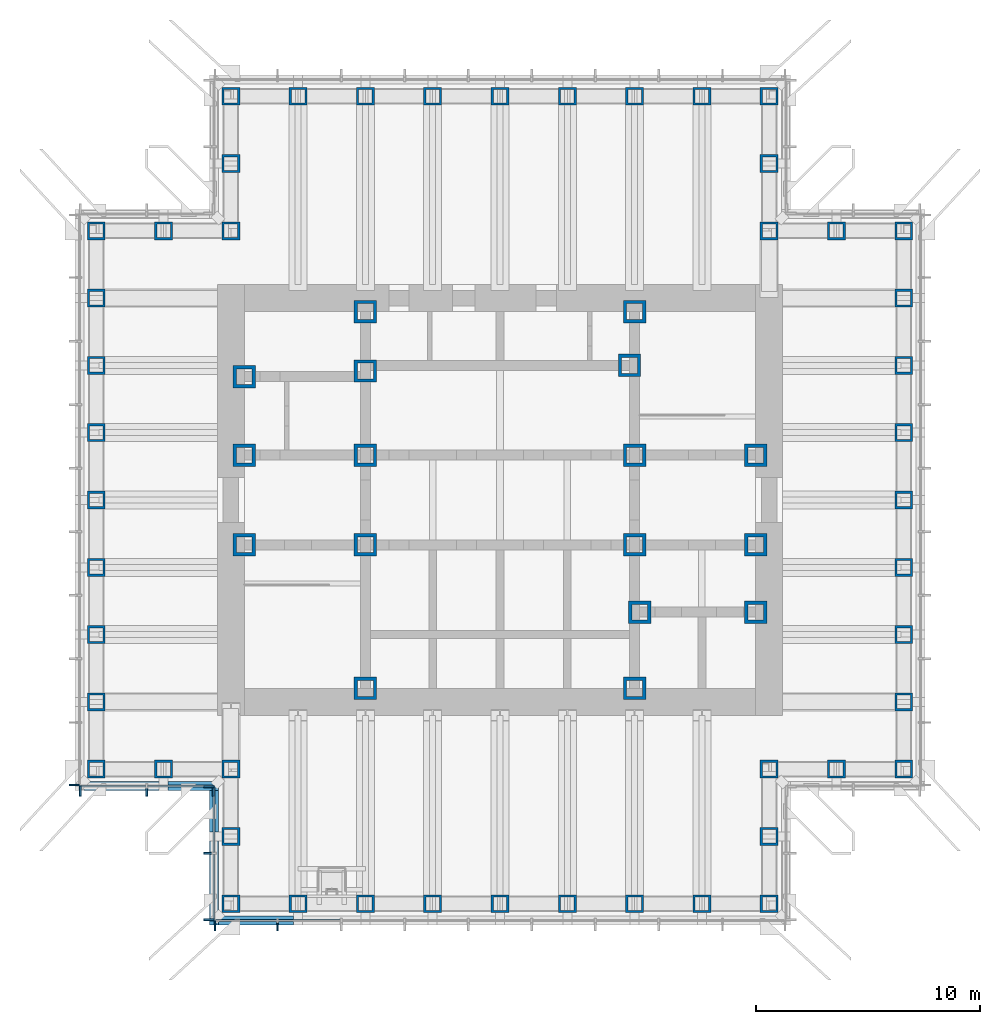
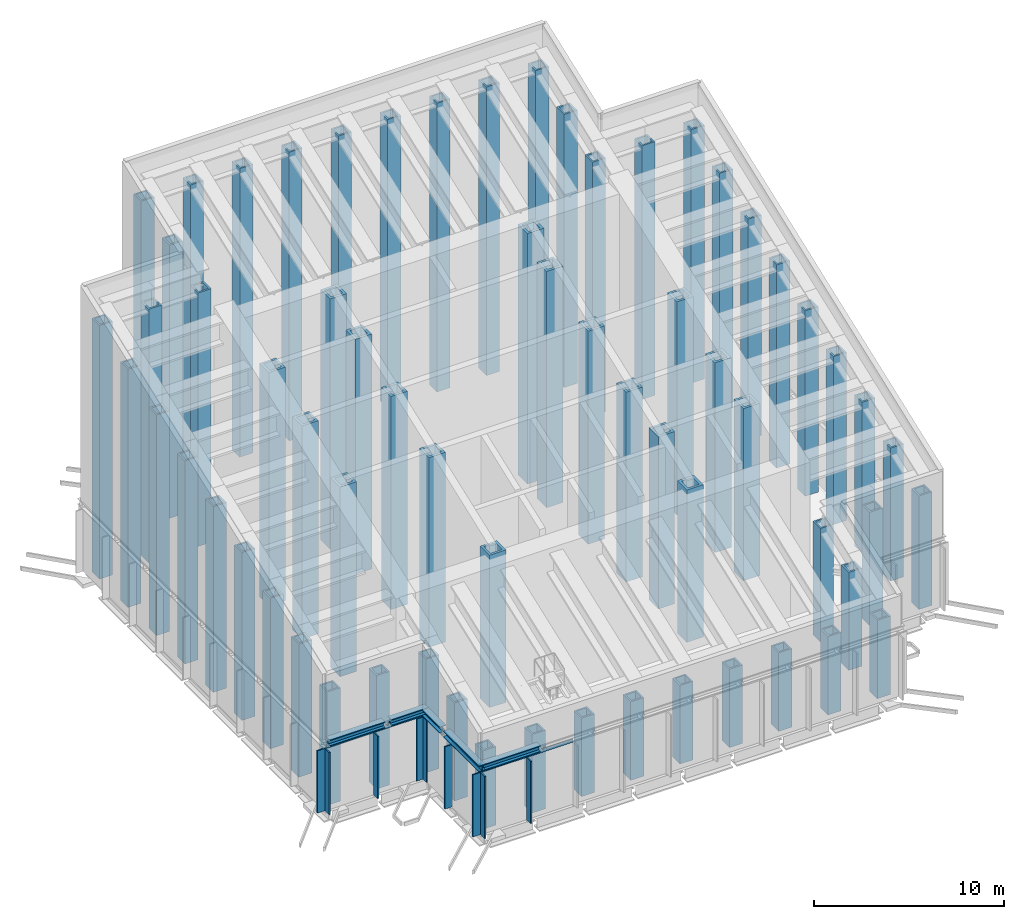
# One storey, part 1 of 15: 65 columns, 15 members, 5 beams, 4 elements without a shape of their own.
"""IFC4 building model written with IfcOpenShell, lengths in metres."""

from ifc_helpers import new_model, si_unit, direction, frame, origin, origin_2d, place, context, subcontext, project, spatial, rectangle, hollow_rectangle, i_section, extrude, material, material_profile, profile_set, type_object, element, aggregate, save


model = new_model("IFC4")

# Units and contexts
model_context = context("Model", 3, precision=1e-05, world=origin(), true_north=direction((0.0, 1.0)))
body_context = subcontext(model_context, "Body", "Model", "MODEL_VIEW")
ifc_project = project(units=[si_unit("LENGTHUNIT", "METRE"), si_unit("AREAUNIT", "SQUARE_METRE"), si_unit("VOLUMEUNIT", "CUBIC_METRE"), si_unit("PLANEANGLEUNIT", "RADIAN"), si_unit("MASSUNIT", "GRAM", prefix="KILO")], contexts=[model_context])

# Site, building, storey
site_placement = place(None, origin())
site = spatial("IfcSite", under=ifc_project, at=site_placement, CompositionType="ELEMENT")
building_placement = place(site_placement, origin())
building = spatial("IfcBuilding", under=site, at=building_placement, Name="Daluyong Arena Tower", CompositionType="ELEMENT")
storey_placement = place(building_placement, frame((0.0, 0.0, 285.699951171875)))
storey = spatial("IfcBuildingStorey", under=building, at=storey_placement, Name="L64", CompositionType="ELEMENT", Elevation=285.699951171875)

# Columns
ifc_material_1 = material(Name="Steel ASTM A588 Grade 50", Category="steel")
ifc_material_profile_1 = material_profile(ifc_material_1, hollow_rectangle(XDim=1.0, YDim=1.0, WallThickness=0.15, at=origin_2d()))
ifc_profile_set_1 = profile_set([ifc_material_profile_1], Name="Steel ASTM A588 Grade 50")
column_type_1 = type_object("IfcColumnType", Name="Core boundary column BX1000X150", PredefinedType="COLUMN", material=ifc_profile_set_1)
column_1_placement = place(storey_placement, frame((44.60009765625, 78.0, 0.0), z_axis=(0.0, 0.0, 1.0), x_axis=(1.0, 0.0, 0.0)))
element("IfcColumn", 1, at=column_1_placement, inside=storey, type_object=column_type_1, Name="core boundary column BC1", PredefinedType="COLUMN", context=body_context, shape_type="SweptSolid", body=[
    extrude(hollow_rectangle(XDim=1.0, YDim=1.0, WallThickness=0.15, at=origin_2d()), origin(), (0.0, 0.0, 1.0), 12.201416015625),
])
column_2_placement = place(storey_placement, frame((44.60009765625, 82.0, 0.0), z_axis=(0.0, 0.0, 1.0), x_axis=(1.0, 0.0, 0.0)))
element("IfcColumn", 2, at=column_2_placement, inside=storey, type_object=column_type_1, Name="core boundary column BC1", PredefinedType="COLUMN", context=body_context, shape_type="SweptSolid", body=[
    extrude(hollow_rectangle(XDim=1.0, YDim=1.0, WallThickness=0.15, at=origin_2d()), origin(), (0.0, 0.0, 1.0), 13.702880859375),
])
column_3_placement = place(storey_placement, frame((44.60009765625, 85.5, 0.0), z_axis=(0.0, 0.0, 1.0), x_axis=(1.0, 0.0, 0.0)))
element("IfcColumn", 3, at=column_3_placement, inside=storey, type_object=column_type_1, Name="core boundary column BC1", PredefinedType="COLUMN", context=body_context, shape_type="SweptSolid", body=[
    extrude(hollow_rectangle(XDim=1.0, YDim=1.0, WallThickness=0.15, at=origin_2d()), origin(), (0.0, 0.0, 1.0), 15.0166015625),
])
column_4_placement = place(storey_placement, frame((50.0, 71.60009765625, 0.0), z_axis=(0.0, 0.0, 1.0), x_axis=(1.0, 0.0, 0.0)))
element("IfcColumn", 4, at=column_4_placement, inside=storey, type_object=column_type_1, Name="core boundary column BC1", PredefinedType="COLUMN", context=body_context, shape_type="SweptSolid", body=[
    extrude(hollow_rectangle(XDim=1.0, YDim=1.0, WallThickness=0.15, at=origin_2d()), origin(), (0.0, 0.0, 1.0), 9.79931640625),
])
column_5_placement = place(storey_placement, frame((50.0, 78.0, 0.0), z_axis=(0.0, 0.0, 1.0), x_axis=(1.0, 0.0, 0.0)))
element("IfcColumn", 5, at=column_5_placement, inside=storey, type_object=column_type_1, Name="core boundary column BC1", PredefinedType="COLUMN", context=body_context, shape_type="SweptSolid", body=[
    extrude(hollow_rectangle(XDim=1.0, YDim=1.0, WallThickness=0.15, at=origin_2d()), origin(), (0.0, 0.0, 1.0), 12.201416015625),
])
column_6_placement = place(storey_placement, frame((50.0, 82.0, 0.0), z_axis=(0.0, 0.0, 1.0), x_axis=(1.0, 0.0, 0.0)))
element("IfcColumn", 6, at=column_6_placement, inside=storey, type_object=column_type_1, Name="core boundary column BC1", PredefinedType="COLUMN", context=body_context, shape_type="SweptSolid", body=[
    extrude(hollow_rectangle(XDim=1.0, YDim=1.0, WallThickness=0.15, at=origin_2d()), origin(), (0.0, 0.0, 1.0), 13.702880859375),
])
column_7_placement = place(storey_placement, frame((50.0, 85.75, 0.0), z_axis=(0.0, 0.0, 1.0), x_axis=(1.0, 0.0, 0.0)))
element("IfcColumn", 7, at=column_7_placement, inside=storey, type_object=column_type_1, Name="core boundary column BC1", PredefinedType="COLUMN", context=body_context, shape_type="SweptSolid", body=[
    extrude(hollow_rectangle(XDim=1.0, YDim=1.0, WallThickness=0.15, at=origin_2d()), origin(), (0.0, 0.0, 1.0), 15.1103515625),
])
column_8_placement = place(storey_placement, frame((50.0, 88.39990234375, 0.0), z_axis=(0.0, 0.0, 1.0), x_axis=(1.0, 0.0, 0.0)))
element("IfcColumn", 8, at=column_8_placement, inside=storey, type_object=column_type_1, Name="core boundary column BC1", PredefinedType="COLUMN", context=body_context, shape_type="SweptSolid", body=[
    extrude(hollow_rectangle(XDim=1.0, YDim=1.0, WallThickness=0.15, at=origin_2d()), origin(), (0.0, 0.0, 1.0), 16.10498046875),
])
column_9_placement = place(storey_placement, frame((61.77490234375, 86.0, 0.0), z_axis=(0.0, 0.0, 1.0), x_axis=(1.0, 0.0, 0.0)))
element("IfcColumn", 9, at=column_9_placement, inside=storey, type_object=column_type_1, Name="core boundary column BC1", PredefinedType="COLUMN", context=body_context, shape_type="SweptSolid", body=[
    extrude(hollow_rectangle(XDim=1.0, YDim=1.0, WallThickness=0.15, at=origin_2d()), origin(), (0.0, 0.0, 1.0), 15.2041015625),
])
column_10_placement = place(storey_placement, frame((62.0, 71.60009765625, 0.0), z_axis=(0.0, 0.0, 1.0), x_axis=(1.0, 0.0, 0.0)))
element("IfcColumn", 10, at=column_10_placement, inside=storey, type_object=column_type_1, Name="core boundary column BC1", PredefinedType="COLUMN", context=body_context, shape_type="SweptSolid", body=[
    extrude(hollow_rectangle(XDim=1.0, YDim=1.0, WallThickness=0.15, at=origin_2d()), origin(), (0.0, 0.0, 1.0), 9.79931640625),
])
column_11_placement = place(storey_placement, frame((62.0, 78.0, 0.0), z_axis=(0.0, 0.0, 1.0), x_axis=(1.0, 0.0, 0.0)))
element("IfcColumn", 11, at=column_11_placement, inside=storey, type_object=column_type_1, Name="core boundary column BC1", PredefinedType="COLUMN", context=body_context, shape_type="SweptSolid", body=[
    extrude(hollow_rectangle(XDim=1.0, YDim=1.0, WallThickness=0.15, at=origin_2d()), origin(), (0.0, 0.0, 1.0), 12.201416015625),
])
column_12_placement = place(storey_placement, frame((62.0, 82.0, 0.0), z_axis=(0.0, 0.0, 1.0), x_axis=(1.0, 0.0, 0.0)))
element("IfcColumn", 12, at=column_12_placement, inside=storey, type_object=column_type_1, Name="core boundary column BC1", PredefinedType="COLUMN", context=body_context, shape_type="SweptSolid", body=[
    extrude(hollow_rectangle(XDim=1.0, YDim=1.0, WallThickness=0.15, at=origin_2d()), origin(), (0.0, 0.0, 1.0), 13.702880859375),
])
column_13_placement = place(storey_placement, frame((62.0, 88.39990234375, 0.0), z_axis=(0.0, 0.0, 1.0), x_axis=(1.0, 0.0, 0.0)))
element("IfcColumn", 13, at=column_13_placement, inside=storey, type_object=column_type_1, Name="core boundary column BC1", PredefinedType="COLUMN", context=body_context, shape_type="SweptSolid", body=[
    extrude(hollow_rectangle(XDim=1.0, YDim=1.0, WallThickness=0.15, at=origin_2d()), origin(), (0.0, 0.0, 1.0), 16.10498046875),
])
for number, where, z_axis, x_axis, name in (
    (14, (62.22509765625, 75.0, 0.0), (0.0, 0.0, 1.0), (1.0, 0.0, 0.0), "core boundary column BC1"),
    (15, (67.39990234375, 75.0, 0.0), (0.0, 0.0, 1.0), (1.0, 0.0, 0.0), "core boundary column BC1"),
):
    element("IfcColumn", number, at=place(storey_placement, frame(where, z_axis=z_axis, x_axis=x_axis)), inside=storey, type_object=column_type_1, Name=name, PredefinedType="COLUMN", context=body_context, shape_type="SweptSolid", body=[
        extrude(hollow_rectangle(XDim=1.0, YDim=1.0, WallThickness=0.15, at=origin_2d()), origin(), (0.0, 0.0, 1.0), 11.075439453125),
    ])
column_14_placement = place(storey_placement, frame((67.39990234375, 78.0, 0.0), z_axis=(0.0, 0.0, 1.0), x_axis=(1.0, 0.0, 0.0)))
element("IfcColumn", 16, at=column_14_placement, inside=storey, type_object=column_type_1, Name="core boundary column BC1", PredefinedType="COLUMN", context=body_context, shape_type="SweptSolid", body=[
    extrude(hollow_rectangle(XDim=1.0, YDim=1.0, WallThickness=0.15, at=origin_2d()), origin(), (0.0, 0.0, 1.0), 12.201416015625),
])
column_15_placement = place(storey_placement, frame((67.39990234375, 82.0, 0.0), z_axis=(0.0, 0.0, 1.0), x_axis=(1.0, 0.0, 0.0)))
element("IfcColumn", 17, at=column_15_placement, inside=storey, type_object=column_type_1, Name="core boundary column BC1", PredefinedType="COLUMN", context=body_context, shape_type="SweptSolid", body=[
    extrude(hollow_rectangle(XDim=1.0, YDim=1.0, WallThickness=0.15, at=origin_2d()), origin(), (0.0, 0.0, 1.0), 13.702880859375),
])
ifc_material_2 = material(Name="Steel ASTM A572 Grade 50", Category="steel")
ifc_material_profile_2 = material_profile(ifc_material_2, hollow_rectangle(XDim=0.800048828125, YDim=0.800048828125, WallThickness=0.1, at=origin_2d()))
ifc_profile_set_2 = profile_set([ifc_material_profile_2], Name="Steel ASTM A572 Grade 50")
column_type_2 = type_object("IfcColumnType", Name="Tube column BX800X100 BX800X100", PredefinedType="COLUMN", material=ifc_profile_set_2)
for number, where, z_axis, x_axis, name in (
    (18, (44.0, 62.0, 0.0), (0.0, 0.0, 1.0), (1.0, 0.0, 0.0), "tube column bx800x100 TC8"),
    (19, (47.0, 62.0, 0.0), (0.0, 0.0, 1.0), (1.0, 0.0, 0.0), "tube column bx800x100 TC8"),
    (20, (50.0, 62.0, 0.0), (0.0, 0.0, 1.0), (1.0, 0.0, 0.0), "tube column bx800x100 TC8"),
    (21, (53.0, 62.0, 0.0), (0.0, 0.0, 1.0), (1.0, 0.0, 0.0), "tube column bx800x100 TC8"),
    (22, (56.0, 62.0, 0.0), (0.0, 0.0, 1.0), (1.0, 0.0, 0.0), "tube column bx800x100 TC8"),
    (23, (59.0, 62.0, 0.0), (0.0, 0.0, 1.0), (1.0, 0.0, 0.0), "tube column bx800x100 TC8"),
    (24, (62.0, 62.0, 0.0), (0.0, 0.0, 1.0), (1.0, 0.0, 0.0), "tube column bx800x100 TC8"),
    (25, (65.0, 62.0, 0.0), (0.0, 0.0, 1.0), (1.0, 0.0, 0.0), "tube column bx800x100 TC8"),
    (26, (68.0, 62.0, 0.0), (0.0, 0.0, 1.0), (0.0, 1.0, 0.0), "tube column bx800x100 TC8"),
):
    element("IfcColumn", number, at=place(storey_placement, frame(where, z_axis=z_axis, x_axis=x_axis)), inside=storey, type_object=column_type_2, Name=name, PredefinedType="COLUMN", context=body_context, shape_type="SweptSolid", body=[
        extrude(hollow_rectangle(XDim=0.800048828125, YDim=0.800048828125, WallThickness=0.1, at=origin_2d()), origin(), (0.0, 0.0, 1.0), 5.052490234375),
    ])
column_16_placement = place(storey_placement, frame((68.0, 65.0, 0.0), z_axis=(0.0, 0.0, 1.0), x_axis=(0.0, 1.0, 0.0)))
element("IfcColumn", 27, at=column_16_placement, inside=storey, type_object=column_type_2, Name="tube column bx800x100 TC8", PredefinedType="COLUMN", context=body_context, shape_type="SweptSolid", body=[
    extrude(hollow_rectangle(XDim=0.800048828125, YDim=0.800048828125, WallThickness=0.1, at=origin_2d()), origin(), (0.0, 0.0, 1.0), 6.309814453125),
])
for number, where, z_axis, x_axis, name in (
    (28, (68.0, 68.0, 0.0), (0.0, 0.0, 1.0), (1.0, 0.0, 0.0), "tube column bx800x100 TC8"),
    (29, (71.0, 68.0, 0.0), (0.0, 0.0, 1.0), (1.0, 0.0, 0.0), "tube column bx800x100 TC8"),
    (30, (74.0, 68.0, 0.0), (0.0, 0.0, 1.0), (0.0, 1.0, 0.0), "tube column bx800x100 TC8"),
):
    element("IfcColumn", number, at=place(storey_placement, frame(where, z_axis=z_axis, x_axis=x_axis)), inside=storey, type_object=column_type_2, Name=name, PredefinedType="COLUMN", context=body_context, shape_type="SweptSolid", body=[
        extrude(hollow_rectangle(XDim=0.800048828125, YDim=0.800048828125, WallThickness=0.1, at=origin_2d()), origin(), (0.0, 0.0, 1.0), 7.304443359375),
    ])
column_17_placement = place(storey_placement, frame((74.0, 71.0, 0.0), z_axis=(0.0, 0.0, 1.0), x_axis=(0.0, 1.0, 0.0)))
element("IfcColumn", 31, at=column_17_placement, inside=storey, type_object=column_type_2, Name="tube column bx800x100 TC8", PredefinedType="COLUMN", context=body_context, shape_type="SweptSolid", body=[
    extrude(hollow_rectangle(XDim=0.800048828125, YDim=0.800048828125, WallThickness=0.1, at=origin_2d()), origin(), (0.0, 0.0, 1.0), 8.561767578125),
])
column_18_placement = place(storey_placement, frame((74.0, 74.0, 0.0), z_axis=(0.0, 0.0, 1.0), x_axis=(0.0, 1.0, 0.0)))
element("IfcColumn", 32, at=column_18_placement, inside=storey, type_object=column_type_2, Name="tube column bx800x100 TC8", PredefinedType="COLUMN", context=body_context, shape_type="SweptSolid", body=[
    extrude(hollow_rectangle(XDim=0.800048828125, YDim=0.800048828125, WallThickness=0.1, at=origin_2d()), origin(), (0.0, 0.0, 1.0), 9.687744140625),
])
column_19_placement = place(storey_placement, frame((74.0, 77.0, 0.0), z_axis=(0.0, 0.0, 1.0), x_axis=(0.0, 1.0, 0.0)))
element("IfcColumn", 33, at=column_19_placement, inside=storey, type_object=column_type_2, Name="tube column bx800x100 TC8", PredefinedType="COLUMN", context=body_context, shape_type="SweptSolid", body=[
    extrude(hollow_rectangle(XDim=0.800048828125, YDim=0.800048828125, WallThickness=0.1, at=origin_2d()), origin(), (0.0, 0.0, 1.0), 10.813720703125),
])
column_20_placement = place(storey_placement, frame((74.0, 80.0, 0.0), z_axis=(0.0, 0.0, 1.0), x_axis=(0.0, 1.0, 0.0)))
element("IfcColumn", 34, at=column_20_placement, inside=storey, type_object=column_type_2, Name="tube column bx800x100 TC8", PredefinedType="COLUMN", context=body_context, shape_type="SweptSolid", body=[
    extrude(hollow_rectangle(XDim=0.800048828125, YDim=0.800048828125, WallThickness=0.1, at=origin_2d()), origin(), (0.0, 0.0, 1.0), 11.93994140625),
])
column_21_placement = place(storey_placement, frame((74.0, 83.0, 0.0), z_axis=(0.0, 0.0, 1.0), x_axis=(0.0, 1.0, 0.0)))
element("IfcColumn", 35, at=column_21_placement, inside=storey, type_object=column_type_2, Name="tube column bx800x100 TC8", PredefinedType="COLUMN", context=body_context, shape_type="SweptSolid", body=[
    extrude(hollow_rectangle(XDim=0.800048828125, YDim=0.800048828125, WallThickness=0.1, at=origin_2d()), origin(), (0.0, 0.0, 1.0), 13.06591796875),
])
column_22_placement = place(storey_placement, frame((74.0, 86.0, 0.0), z_axis=(0.0, 0.0, 1.0), x_axis=(0.0, 1.0, 0.0)))
element("IfcColumn", 36, at=column_22_placement, inside=storey, type_object=column_type_2, Name="tube column bx800x100 TC8", PredefinedType="COLUMN", context=body_context, shape_type="SweptSolid", body=[
    extrude(hollow_rectangle(XDim=0.800048828125, YDim=0.800048828125, WallThickness=0.1, at=origin_2d()), origin(), (0.0, 0.0, 1.0), 14.19189453125),
])
column_23_placement = place(storey_placement, frame((74.0, 89.0, 0.0), z_axis=(0.0, 0.0, 1.0), x_axis=(0.0, 1.0, 0.0)))
element("IfcColumn", 37, at=column_23_placement, inside=storey, type_object=column_type_2, Name="tube column bx800x100 TC8", PredefinedType="COLUMN", context=body_context, shape_type="SweptSolid", body=[
    extrude(hollow_rectangle(XDim=0.800048828125, YDim=0.800048828125, WallThickness=0.1, at=origin_2d()), origin(), (0.0, 0.0, 1.0), 15.31787109375),
])
for number, where, z_axis, x_axis, name in (
    (38, (74.0, 92.0, 0.0), (0.0, 0.0, 1.0), (1.0, 0.0, 0.0), "tube column bx800x100 TC8"),
    (39, (71.0, 92.0, 0.0), (0.0, 0.0, 1.0), (1.0, 0.0, 0.0), "tube column bx800x100 TC8"),
    (40, (68.0, 92.0, 0.0), (0.0, 0.0, 1.0), (0.0, 1.0, 0.0), "tube column bx800x100 TC8"),
):
    element("IfcColumn", number, at=place(storey_placement, frame(where, z_axis=z_axis, x_axis=x_axis)), inside=storey, type_object=column_type_2, Name=name, PredefinedType="COLUMN", context=body_context, shape_type="SweptSolid", body=[
        extrude(hollow_rectangle(XDim=0.800048828125, YDim=0.800048828125, WallThickness=0.1, at=origin_2d()), origin(), (0.0, 0.0, 1.0), 16.3125),
    ])
column_24_placement = place(storey_placement, frame((68.0, 95.0, 0.0), z_axis=(0.0, 0.0, 1.0), x_axis=(0.0, 1.0, 0.0)))
element("IfcColumn", 41, at=column_24_placement, inside=storey, type_object=column_type_2, Name="tube column bx800x100 TC8", PredefinedType="COLUMN", context=body_context, shape_type="SweptSolid", body=[
    extrude(hollow_rectangle(XDim=0.800048828125, YDim=0.800048828125, WallThickness=0.1, at=origin_2d()), origin(), (0.0, 0.0, 1.0), 17.56982421875),
])
for number, where, z_axis, x_axis, name in (
    (42, (68.0, 98.0, 0.0), (0.0, 0.0, 1.0), (1.0, 0.0, 0.0), "tube column bx800x100 TC8"),
    (43, (65.0, 98.0, 0.0), (0.0, 0.0, 1.0), (1.0, 0.0, 0.0), "tube column bx800x100 TC8"),
    (44, (62.0, 98.0, 0.0), (0.0, 0.0, 1.0), (1.0, 0.0, 0.0), "tube column bx800x100 TC8"),
    (45, (59.0, 98.0, 0.0), (0.0, 0.0, 1.0), (1.0, 0.0, 0.0), "tube column bx800x100 TC8"),
    (46, (56.0, 98.0, 0.0), (0.0, 0.0, 1.0), (1.0, 0.0, 0.0), "tube column bx800x100 TC8"),
    (47, (53.0, 98.0, 0.0), (0.0, 0.0, 1.0), (1.0, 0.0, 0.0), "tube column bx800x100 TC8"),
    (48, (50.0, 98.0, 0.0), (0.0, 0.0, 1.0), (1.0, 0.0, 0.0), "tube column bx800x100 TC8"),
    (49, (47.0, 98.0, 0.0), (0.0, 0.0, 1.0), (1.0, 0.0, 0.0), "tube column bx800x100 TC8"),
    (50, (44.0, 98.0, 0.0), (0.0, 0.0, 1.0), (0.0, 1.0, 0.0), "tube column bx800x100 TC8"),
):
    element("IfcColumn", number, at=place(storey_placement, frame(where, z_axis=z_axis, x_axis=x_axis)), inside=storey, type_object=column_type_2, Name=name, PredefinedType="COLUMN", context=body_context, shape_type="SweptSolid", body=[
        extrude(hollow_rectangle(XDim=0.800048828125, YDim=0.800048828125, WallThickness=0.1, at=origin_2d()), origin(), (0.0, 0.0, 1.0), 18.564453125),
    ])
column_25_placement = place(storey_placement, frame((44.0, 95.0, 0.0), z_axis=(0.0, 0.0, 1.0), x_axis=(0.0, 1.0, 0.0)))
element("IfcColumn", 51, at=column_25_placement, inside=storey, type_object=column_type_2, Name="tube column bx800x100 TC8", PredefinedType="COLUMN", context=body_context, shape_type="SweptSolid", body=[
    extrude(hollow_rectangle(XDim=0.800048828125, YDim=0.800048828125, WallThickness=0.1, at=origin_2d()), origin(), (0.0, 0.0, 1.0), 17.56982421875),
])
for number, where, z_axis, x_axis, name in (
    (52, (44.0, 92.0, 0.0), (0.0, 0.0, 1.0), (1.0, 0.0, 0.0), "tube column bx800x100 TC8"),
    (53, (41.0, 92.0, 0.0), (0.0, 0.0, 1.0), (1.0, 0.0, 0.0), "tube column bx800x100 TC8"),
    (54, (38.0, 92.0, 0.0), (0.0, 0.0, 1.0), (0.0, 1.0, 0.0), "tube column bx800x100 TC8"),
):
    element("IfcColumn", number, at=place(storey_placement, frame(where, z_axis=z_axis, x_axis=x_axis)), inside=storey, type_object=column_type_2, Name=name, PredefinedType="COLUMN", context=body_context, shape_type="SweptSolid", body=[
        extrude(hollow_rectangle(XDim=0.800048828125, YDim=0.800048828125, WallThickness=0.1, at=origin_2d()), origin(), (0.0, 0.0, 1.0), 16.3125),
    ])
column_26_placement = place(storey_placement, frame((38.0, 89.0, 0.0), z_axis=(0.0, 0.0, 1.0), x_axis=(0.0, 1.0, 0.0)))
element("IfcColumn", 55, at=column_26_placement, inside=storey, type_object=column_type_2, Name="tube column bx800x100 TC8", PredefinedType="COLUMN", context=body_context, shape_type="SweptSolid", body=[
    extrude(hollow_rectangle(XDim=0.800048828125, YDim=0.800048828125, WallThickness=0.1, at=origin_2d()), origin(), (0.0, 0.0, 1.0), 15.31787109375),
])
column_27_placement = place(storey_placement, frame((38.0, 86.0, 0.0), z_axis=(0.0, 0.0, 1.0), x_axis=(0.0, 1.0, 0.0)))
element("IfcColumn", 56, at=column_27_placement, inside=storey, type_object=column_type_2, Name="tube column bx800x100 TC8", PredefinedType="COLUMN", context=body_context, shape_type="SweptSolid", body=[
    extrude(hollow_rectangle(XDim=0.800048828125, YDim=0.800048828125, WallThickness=0.1, at=origin_2d()), origin(), (0.0, 0.0, 1.0), 14.19189453125),
])
column_28_placement = place(storey_placement, frame((38.0, 83.0, 0.0), z_axis=(0.0, 0.0, 1.0), x_axis=(0.0, 1.0, 0.0)))
element("IfcColumn", 57, at=column_28_placement, inside=storey, type_object=column_type_2, Name="tube column bx800x100 TC8", PredefinedType="COLUMN", context=body_context, shape_type="SweptSolid", body=[
    extrude(hollow_rectangle(XDim=0.800048828125, YDim=0.800048828125, WallThickness=0.1, at=origin_2d()), origin(), (0.0, 0.0, 1.0), 13.06591796875),
])
column_29_placement = place(storey_placement, frame((38.0, 80.0, 0.0), z_axis=(0.0, 0.0, 1.0), x_axis=(0.0, 1.0, 0.0)))
element("IfcColumn", 58, at=column_29_placement, inside=storey, type_object=column_type_2, Name="tube column bx800x100 TC8", PredefinedType="COLUMN", context=body_context, shape_type="SweptSolid", body=[
    extrude(hollow_rectangle(XDim=0.800048828125, YDim=0.800048828125, WallThickness=0.1, at=origin_2d()), origin(), (0.0, 0.0, 1.0), 11.93994140625),
])
column_30_placement = place(storey_placement, frame((38.0, 77.0, 0.0), z_axis=(0.0, 0.0, 1.0), x_axis=(0.0, 1.0, 0.0)))
element("IfcColumn", 59, at=column_30_placement, inside=storey, type_object=column_type_2, Name="tube column bx800x100 TC8", PredefinedType="COLUMN", context=body_context, shape_type="SweptSolid", body=[
    extrude(hollow_rectangle(XDim=0.800048828125, YDim=0.800048828125, WallThickness=0.1, at=origin_2d()), origin(), (0.0, 0.0, 1.0), 10.813720703125),
])
column_31_placement = place(storey_placement, frame((38.0, 74.0, 0.0), z_axis=(0.0, 0.0, 1.0), x_axis=(0.0, 1.0, 0.0)))
element("IfcColumn", 60, at=column_31_placement, inside=storey, type_object=column_type_2, Name="tube column bx800x100 TC8", PredefinedType="COLUMN", context=body_context, shape_type="SweptSolid", body=[
    extrude(hollow_rectangle(XDim=0.800048828125, YDim=0.800048828125, WallThickness=0.1, at=origin_2d()), origin(), (0.0, 0.0, 1.0), 9.687744140625),
])
column_32_placement = place(storey_placement, frame((38.0, 71.0, 0.0), z_axis=(0.0, 0.0, 1.0), x_axis=(0.0, 1.0, 0.0)))
element("IfcColumn", 61, at=column_32_placement, inside=storey, type_object=column_type_2, Name="tube column bx800x100 TC8", PredefinedType="COLUMN", context=body_context, shape_type="SweptSolid", body=[
    extrude(hollow_rectangle(XDim=0.800048828125, YDim=0.800048828125, WallThickness=0.1, at=origin_2d()), origin(), (0.0, 0.0, 1.0), 8.561767578125),
])
for number, where, z_axis, x_axis, name in (
    (62, (38.0, 68.0, 0.0), (0.0, 0.0, 1.0), (1.0, 0.0, 0.0), "tube column bx800x100 TC8"),
    (63, (41.0, 68.0, 0.0), (0.0, 0.0, 1.0), (1.0, 0.0, 0.0), "tube column bx800x100 TC8"),
    (64, (44.0, 68.0, 0.0), (0.0, 0.0, 1.0), (0.0, 1.0, 0.0), "tube column bx800x100 TC8"),
):
    element("IfcColumn", number, at=place(storey_placement, frame(where, z_axis=z_axis, x_axis=x_axis)), inside=storey, type_object=column_type_2, Name=name, PredefinedType="COLUMN", context=body_context, shape_type="SweptSolid", body=[
        extrude(hollow_rectangle(XDim=0.800048828125, YDim=0.800048828125, WallThickness=0.1, at=origin_2d()), origin(), (0.0, 0.0, 1.0), 7.304443359375),
    ])
column_33_placement = place(storey_placement, frame((44.0, 65.0, 0.0), z_axis=(0.0, 0.0, 1.0), x_axis=(0.0, 1.0, 0.0)))
element("IfcColumn", 65, at=column_33_placement, inside=storey, type_object=column_type_2, Name="tube column bx800x100 TC8", PredefinedType="COLUMN", context=body_context, shape_type="SweptSolid", body=[
    extrude(hollow_rectangle(XDim=0.800048828125, YDim=0.800048828125, WallThickness=0.1, at=origin_2d()), origin(), (0.0, 0.0, 1.0), 6.309814453125),
])

# Curtain wall, members
ifc_material_3 = material(Name="Bronze anodised aluminium and glass", Category="aluminium")
curtain_wall_type = type_object("IfcCurtainWallType", Name="Curtain wall CW6", PredefinedType="USERDEFINED", material=ifc_material_3)
curtain_wall_1_placement = place(storey_placement, origin())
curtain_wall_1 = element("IfcCurtainWall", 66, at=curtain_wall_1_placement, inside=storey, type_object=curtain_wall_type, Name="crown louvre curtain wall L64 S", ObjectType="UNITISED CURTAIN WALL", PredefinedType="USERDEFINED")
ifc_material_4 = material(Name="Bronze anodised aluminium fin", Category="aluminium")
ifc_material_profile_3 = material_profile(ifc_material_4, rectangle(XDim=0.449951171875, YDim=0.080078125, at=origin_2d()))
ifc_profile_set_3 = profile_set([ifc_material_profile_3], Name="Bronze anodised aluminium fin")
member_type_1 = type_object("IfcMemberType", Name="CW6 bronze fin 450x80", PredefinedType="MULLION", material=ifc_profile_set_3)
member_1_placement = place(storey_placement, frame((43.2900390625, 61.02490234375, 0.0), z_axis=(0.0, 0.0, 1.0), x_axis=(0.0, 1.0, 0.0)))
member_1 = element("IfcMember", 67, at=member_1_placement, type_object=member_type_1, Name="crown louvre curtain wall L64 S fin 1", PredefinedType="MULLION", context=body_context, shape_type="SweptSolid", body=[
    extrude(rectangle(XDim=0.449951171875, YDim=0.080078125, at=origin_2d()), origin(), (0.0, 0.0, 1.0), 4.0),
])
member_2_placement = place(storey_placement, frame((46.083251953125, 61.02490234375, 0.0), z_axis=(0.0, 0.0, 1.0), x_axis=(0.0, 1.0, 0.0)))
member_2 = element("IfcMember", 68, at=member_2_placement, type_object=member_type_1, Name="crown louvre curtain wall L64 S fin 2", PredefinedType="MULLION", context=body_context, shape_type="SweptSolid", body=[
    extrude(rectangle(XDim=0.449951171875, YDim=0.080078125, at=origin_2d()), origin(), (0.0, 0.0, 1.0), 4.0),
])

# Curtain wall, member
curtain_wall_2_placement = place(storey_placement, origin())
curtain_wall_2 = element("IfcCurtainWall", 69, at=curtain_wall_2_placement, inside=storey, type_object=curtain_wall_type, Name="crown louvre curtain wall L64 W", ObjectType="UNITISED CURTAIN WALL", PredefinedType="USERDEFINED")
member_3_placement = place(storey_placement, frame((37.02490234375, 67.2900390625, 0.0), z_axis=(0.0, 0.0, 1.0), x_axis=(1.0, 0.0, 0.0)))
member_3 = element("IfcMember", 70, at=member_3_placement, type_object=member_type_1, Name="crown louvre curtain wall L64 W fin 10", PredefinedType="MULLION", context=body_context, shape_type="SweptSolid", body=[
    extrude(rectangle(XDim=0.449951171875, YDim=0.080078125, at=origin_2d()), origin(), (0.0, 0.0, 1.0), 4.0),
])
aggregate(curtain_wall_2, [member_3])

# Curtain wall, members
curtain_wall_3_placement = place(storey_placement, origin())
curtain_wall_3 = element("IfcCurtainWall", 71, at=curtain_wall_3_placement, inside=storey, type_object=curtain_wall_type, Name="crown louvre curtain wall L64 SW-S", ObjectType="UNITISED CURTAIN WALL", PredefinedType="USERDEFINED")
member_4_placement = place(storey_placement, frame((37.2900390625, 67.02490234375, 0.0), z_axis=(0.0, 0.0, 1.0), x_axis=(0.0, 1.0, 0.0)))
member_4 = element("IfcMember", 72, at=member_4_placement, type_object=member_type_1, Name="crown louvre curtain wall L64 SW-S fin 1", PredefinedType="MULLION", context=body_context, shape_type="SweptSolid", body=[
    extrude(rectangle(XDim=0.449951171875, YDim=0.080078125, at=origin_2d()), origin(), (0.0, 0.0, 1.0), 4.0),
])
member_5_placement = place(storey_placement, frame((40.25, 67.02490234375, 0.0), z_axis=(0.0, 0.0, 1.0), x_axis=(0.0, 1.0, 0.0)))
member_5 = element("IfcMember", 73, at=member_5_placement, type_object=member_type_1, Name="crown louvre curtain wall L64 SW-S fin 2", PredefinedType="MULLION", context=body_context, shape_type="SweptSolid", body=[
    extrude(rectangle(XDim=0.449951171875, YDim=0.080078125, at=origin_2d()), origin(), (0.0, 0.0, 1.0), 4.0),
])
member_6_placement = place(storey_placement, frame((43.2099609375, 67.02490234375, 0.0), z_axis=(0.0, 0.0, 1.0), x_axis=(0.0, 1.0, 0.0)))
member_6 = element("IfcMember", 74, at=member_6_placement, type_object=member_type_1, Name="crown louvre curtain wall L64 SW-S fin 3", PredefinedType="MULLION", context=body_context, shape_type="SweptSolid", body=[
    extrude(rectangle(XDim=0.449951171875, YDim=0.080078125, at=origin_2d()), origin(), (0.0, 0.0, 1.0), 4.0),
])

curtain_wall_4_placement = place(storey_placement, origin())
curtain_wall_4 = element("IfcCurtainWall", 75, at=curtain_wall_4_placement, inside=storey, type_object=curtain_wall_type, Name="crown louvre curtain wall L64 SW-W", ObjectType="UNITISED CURTAIN WALL", PredefinedType="USERDEFINED")
member_7_placement = place(storey_placement, frame((43.02490234375, 67.2099609375, 0.0), z_axis=(0.0, 0.0, 1.0), x_axis=(1.0, 0.0, 0.0)))
member_7 = element("IfcMember", 76, at=member_7_placement, type_object=member_type_1, Name="crown louvre curtain wall L64 SW-W fin 1", PredefinedType="MULLION", context=body_context, shape_type="SweptSolid", body=[
    extrude(rectangle(XDim=0.449951171875, YDim=0.080078125, at=origin_2d()), origin(), (0.0, 0.0, 1.0), 4.0),
])
member_8_placement = place(storey_placement, frame((43.02490234375, 64.25, 0.0), z_axis=(0.0, 0.0, 1.0), x_axis=(1.0, 0.0, 0.0)))
member_8 = element("IfcMember", 77, at=member_8_placement, type_object=member_type_1, Name="crown louvre curtain wall L64 SW-W fin 2", PredefinedType="MULLION", context=body_context, shape_type="SweptSolid", body=[
    extrude(rectangle(XDim=0.449951171875, YDim=0.080078125, at=origin_2d()), origin(), (0.0, 0.0, 1.0), 4.0),
])
member_9_placement = place(storey_placement, frame((43.02490234375, 61.2900390625, 0.0), z_axis=(0.0, 0.0, 1.0), x_axis=(1.0, 0.0, 0.0)))
member_9 = element("IfcMember", 78, at=member_9_placement, type_object=member_type_1, Name="crown louvre curtain wall L64 SW-W fin 3", PredefinedType="MULLION", context=body_context, shape_type="SweptSolid", body=[
    extrude(rectangle(XDim=0.449951171875, YDim=0.080078125, at=origin_2d()), origin(), (0.0, 0.0, 1.0), 4.0),
])

# Member
ifc_material_5 = material(Name="Bronze anodised aluminium", Category="aluminium")
ifc_material_profile_4 = material_profile(ifc_material_5, rectangle(XDim=0.080078125, YDim=0.199951171875, at=origin_2d()))
ifc_profile_set_4 = profile_set([ifc_material_profile_4], Name="Bronze anodised aluminium")
member_type_2 = type_object("IfcMemberType", Name="CW6 stack transom 200x80", PredefinedType="USERDEFINED", material=ifc_profile_set_4)
member_10_placement = place(storey_placement, frame((43.330078125, 61.25, 4.10009765625), z_axis=(1.0, 0.0, 0.0), x_axis=(0.0, 1.0, 0.0)))
member_10 = element("IfcMember", 79, at=member_10_placement, type_object=member_type_2, Name="crown louvre curtain wall L64 S transom 1", ObjectType="TRANSOM", PredefinedType="USERDEFINED", context=body_context, shape_type="SweptSolid", body=[
    extrude(rectangle(XDim=0.080078125, YDim=0.199951171875, at=origin_2d()), origin(), (0.0, 0.0, 1.0), 2.713134765625),
])

member_11_placement = place(storey_placement, frame((46.123291015625, 61.25, 4.10009765625), z_axis=(1.0, 0.0, 0.0), x_axis=(0.0, 1.0, 0.0)))
member_11 = element("IfcMember", 80, at=member_11_placement, type_object=member_type_2, Name="crown louvre curtain wall L64 S transom 2", ObjectType="TRANSOM", PredefinedType="USERDEFINED", context=body_context, shape_type="SweptSolid", body=[
    extrude(rectangle(XDim=0.080078125, YDim=0.199951171875, at=origin_2d()), origin(), (0.0, 0.0, 1.0), 2.75341796875),
])

aggregate(curtain_wall_1, [member_1, member_2, member_10, member_11])

member_12_placement = place(storey_placement, frame((37.330078125, 67.25, 4.10009765625), z_axis=(1.0, 0.0, 0.0), x_axis=(0.0, 1.0, 0.0)))
member_12 = element("IfcMember", 81, at=member_12_placement, type_object=member_type_2, Name="crown louvre curtain wall L64 SW-S transom 1", ObjectType="TRANSOM", PredefinedType="USERDEFINED", context=body_context, shape_type="SweptSolid", body=[
    extrude(rectangle(XDim=0.080078125, YDim=0.199951171875, at=origin_2d()), origin(), (0.0, 0.0, 1.0), 2.8798828125),
])

member_13_placement = place(storey_placement, frame((40.2900390625, 67.25, 4.10009765625), z_axis=(1.0, 0.0, 0.0), x_axis=(0.0, 1.0, 0.0)))
member_13 = element("IfcMember", 82, at=member_13_placement, type_object=member_type_2, Name="crown louvre curtain wall L64 SW-S transom 2", ObjectType="TRANSOM", PredefinedType="USERDEFINED", context=body_context, shape_type="SweptSolid", body=[
    extrude(rectangle(XDim=0.080078125, YDim=0.199951171875, at=origin_2d()), origin(), (0.0, 0.0, 1.0), 2.8798828125),
])

aggregate(curtain_wall_3, [member_4, member_5, member_6, member_12, member_13])

member_14_placement = place(storey_placement, frame((43.25, 67.169921875, 4.10009765625), z_axis=(0.0, -1.0, 0.0), x_axis=(1.0, 0.0, 0.0)))
member_14 = element("IfcMember", 83, at=member_14_placement, type_object=member_type_2, Name="crown louvre curtain wall L64 SW-W transom 1", ObjectType="TRANSOM", PredefinedType="USERDEFINED", context=body_context, shape_type="SweptSolid", body=[
    extrude(rectangle(XDim=0.080078125, YDim=0.199951171875, at=origin_2d()), origin(), (0.0, 0.0, 1.0), 2.8798828125),
])

member_15_placement = place(storey_placement, frame((43.25, 64.2099609375, 4.10009765625), z_axis=(0.0, -1.0, 0.0), x_axis=(1.0, 0.0, 0.0)))
member_15 = element("IfcMember", 84, at=member_15_placement, type_object=member_type_2, Name="crown louvre curtain wall L64 SW-W transom 2", ObjectType="TRANSOM", PredefinedType="USERDEFINED", context=body_context, shape_type="SweptSolid", body=[
    extrude(rectangle(XDim=0.080078125, YDim=0.199951171875, at=origin_2d()), origin(), (0.0, 0.0, 1.0), 2.8798828125),
])

aggregate(curtain_wall_4, [member_7, member_8, member_9, member_14, member_15])

# Beams
ifc_material_6 = material(Name="Steel ASTM A992 Grade 50", Category="steel")
ifc_material_profile_5 = material_profile(ifc_material_6, i_section(OverallWidth=0.398681640625, OverallDepth=0.385986328125, WebThickness=0.02099609375, FlangeThickness=0.033203125, at=origin_2d()))
ifc_profile_set_5 = profile_set([ifc_material_profile_5], Name="Steel ASTM A992 Grade 50")
beam_type = type_object("IfcBeamType", Name="Crown louvre support beam W14X176", PredefinedType="BEAM", material=ifc_profile_set_5)
for number, where, z_axis, x_axis, name in (
    (85, (43.449462890625, 61.25, 4.39306640625), (1.0, 0.0, 0.0), (0.0, 1.0, 0.0), "crown louvre support beam LS1"),
    (86, (37.449462890625, 67.25, 4.39306640625), (1.0, 0.0, 0.0), (0.0, 1.0, 0.0), "crown louvre support beam LS1"),
):
    element("IfcBeam", number, at=place(storey_placement, frame(where, z_axis=z_axis, x_axis=x_axis)), inside=storey, type_object=beam_type, Name=name, PredefinedType="BEAM", context=body_context, shape_type="SweptSolid", body=[
        extrude(i_section(OverallWidth=0.398681640625, OverallDepth=0.385986328125, WebThickness=0.02099609375, FlangeThickness=0.033203125, at=origin_2d()), origin(), (0.0, 0.0, 1.0), 3.35107421875),
    ])
beam_1_placement = place(storey_placement, frame((41.199462890625, 67.25, 4.39306640625), z_axis=(1.0, 0.0, 0.0), x_axis=(0.0, 1.0, 0.0)))
element("IfcBeam", 87, at=beam_1_placement, inside=storey, type_object=beam_type, Name="crown louvre support beam LS1", PredefinedType="BEAM", context=body_context, shape_type="SweptSolid", body=[
    extrude(i_section(OverallWidth=0.398681640625, OverallDepth=0.385986328125, WebThickness=0.02099609375, FlangeThickness=0.033203125, at=origin_2d()), origin(), (0.0, 0.0, 1.0), 2.25),
])
beam_2_placement = place(storey_placement, frame((43.25, 67.050537109375, 4.39306640625), z_axis=(0.0, -1.0, 0.0), x_axis=(1.0, 0.0, 0.0)))
element("IfcBeam", 88, at=beam_2_placement, inside=storey, type_object=beam_type, Name="crown louvre support beam LS1", PredefinedType="BEAM", context=body_context, shape_type="SweptSolid", body=[
    extrude(i_section(OverallWidth=0.398681640625, OverallDepth=0.385986328125, WebThickness=0.02099609375, FlangeThickness=0.033203125, at=origin_2d()), origin(), (0.0, 0.0, 1.0), 1.85107421875),
])
beam_3_placement = place(storey_placement, frame((43.25, 64.800537109375, 4.39306640625), z_axis=(0.0, -1.0, 0.0), x_axis=(1.0, 0.0, 0.0)))
element("IfcBeam", 89, at=beam_3_placement, inside=storey, type_object=beam_type, Name="crown louvre support beam LS1", PredefinedType="BEAM", context=body_context, shape_type="SweptSolid", body=[
    extrude(i_section(OverallWidth=0.398681640625, OverallDepth=0.385986328125, WebThickness=0.02099609375, FlangeThickness=0.033203125, at=origin_2d()), origin(), (0.0, 0.0, 1.0), 3.75),
])

save(model, "model.ifc")
